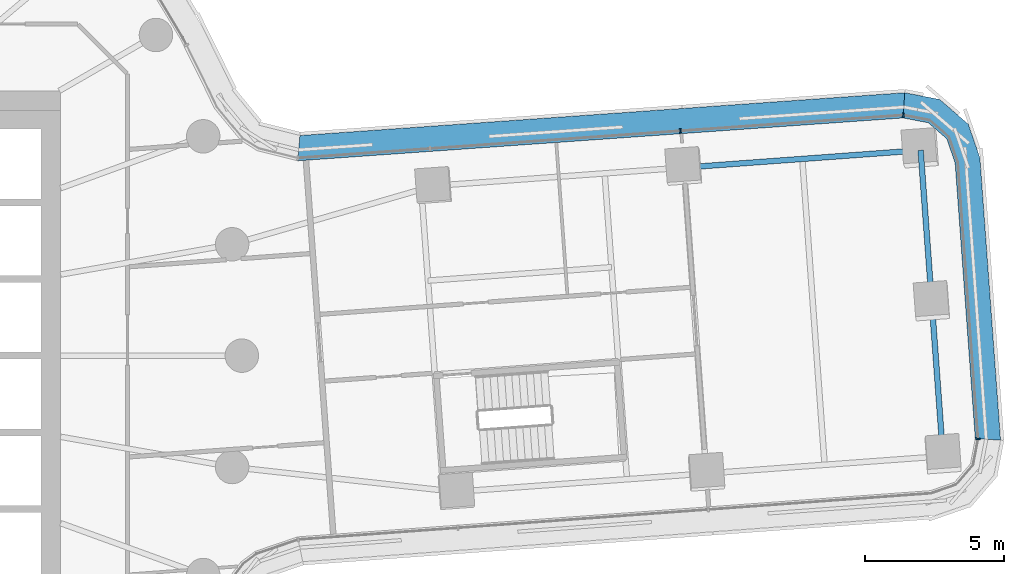
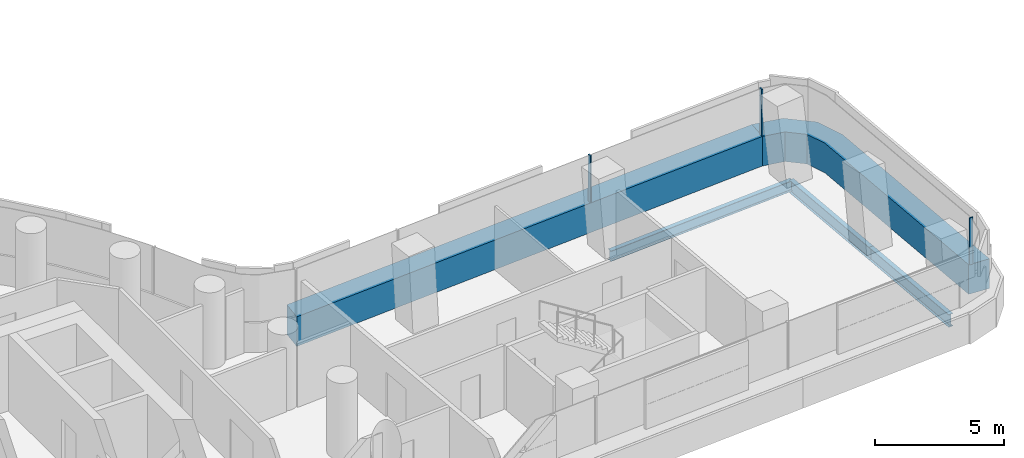
# One storey, part 12 of 31: 5 members, 3 beams, 2 elements without a shape of their own.
"""IFC4 building model written with IfcOpenShell, lengths in metres."""

from ifc_helpers import new_model, si_unit, direction, frame, origin, origin_2d, place, context, subcontext, project, spatial, polyline, rectangle, i_section, outline, extrude, material, layer, layer_set, material_profile, profile_set, type_object, element, aggregate, save


model = new_model("IFC4")

# Units and contexts
model_context = context("Model", 3, precision=1e-05, world=origin(), true_north=direction((0.0, 1.0)))
body_context = subcontext(model_context, "Body", "Model", "MODEL_VIEW")
ifc_project = project(units=[si_unit("LENGTHUNIT", "METRE"), si_unit("AREAUNIT", "SQUARE_METRE"), si_unit("VOLUMEUNIT", "CUBIC_METRE"), si_unit("PLANEANGLEUNIT", "RADIAN"), si_unit("MASSUNIT", "GRAM", prefix="KILO")], contexts=[model_context])

# Site, building, storey
site_placement = place(None, origin())
site = spatial("IfcSite", under=ifc_project, at=site_placement, CompositionType="ELEMENT")
building_placement = place(site_placement, origin())
building = spatial("IfcBuilding", under=site, at=building_placement, Name="Tamarind Cross Interchange Tower", CompositionType="ELEMENT")
storey_placement = place(building_placement, frame((0.0, 0.0, 49.0)))
storey = spatial("IfcBuildingStorey", under=building, at=storey_placement, Name="L10", CompositionType="ELEMENT", Elevation=49.0)

# Beams
ifc_material_1 = material(Name="Steel Q355B", Category="steel")
ifc_material_profile_1 = material_profile(ifc_material_1, i_section(OverallWidth=0.198974609375, OverallDepth=0.49609375, WebThickness=0.009033203125, FlangeThickness=0.013916015625, FilletRadius=0.012939453125, at=origin_2d()), Name="HN 496x199x9x14")
ifc_profile_set_1 = profile_set([ifc_material_profile_1], Name="Steel Q355B")
beam_type_1 = type_object("IfcBeamType", Name="Composite beam HN 496x199x9x14 Q355B", PredefinedType="BEAM", material=ifc_profile_set_1)
beam_placement = place(storey_placement, frame((47.34326171875, 7.366455078125, -0.387939453125), z_axis=(-0.997341049734, -0.072875445216, 0.0), x_axis=(0.072875445216, -0.997341049734, 0.0)))
element("IfcBeam", 1, at=beam_placement, inside=storey, type_object=beam_type_1, Name="Beam E-edgeep2", PredefinedType="BEAM", context=body_context, shape_type="SweptSolid", body=[
    extrude(i_section(OverallWidth=0.198974609375, OverallDepth=0.49609375, WebThickness=0.009033203125, FlangeThickness=0.013916015625, FilletRadius=0.012939453125, at=origin_2d()), origin(), (0.0, 0.0, 1.0), 8.5126953125),
])
ifc_material_profile_2 = material_profile(ifc_material_1, i_section(OverallWidth=0.199951171875, OverallDepth=0.60009765625, WebThickness=0.010986328125, FlangeThickness=0.01708984375, FilletRadius=0.012939453125, at=origin_2d()), Name="HN 600x200x11x17")
ifc_profile_set_2 = profile_set([ifc_material_profile_2], Name="Steel Q355B")
beam_type_2 = type_object("IfcBeamType", Name="Composite beam HN 600x200x11x17 Q355B", PredefinedType="BEAM", material=ifc_profile_set_2)
for number, where, z_axis, x_axis, name in (
    (2, (48.14501953125, -3.604248046875, -0.43994140625), (-0.072887332088, 0.997340181092, 0.0), (-0.997340181092, -0.072887332088, 0.0), "Beam E-tip0"),
    (3, (47.744140625, 1.881103515625, -0.43994140625), (-0.072887332088, 0.997340181092, 0.0), (-0.997340181092, -0.072887332088, 0.0), "Beam E-tip1"),
):
    element("IfcBeam", number, at=place(storey_placement, frame(where, z_axis=z_axis, x_axis=x_axis)), inside=storey, type_object=beam_type_2, Name=name, PredefinedType="BEAM", context=body_context, shape_type="SweptSolid", body=[
        extrude(i_section(OverallWidth=0.199951171875, OverallDepth=0.60009765625, WebThickness=0.010986328125, FlangeThickness=0.01708984375, FilletRadius=0.012939453125, at=origin_2d()), origin(), (0.0, 0.0, 1.0), 5.5),
    ])

# Curtain wall, member
ifc_material_2 = material(Name="Aluminium 6063-T6", Category="aluminium")
ifc_layer = layer(ifc_material_2, 0.159912109375)
ifc_layer_set = layer_set([ifc_layer], Name="Aluminium 6063-T6")
curtain_wall_type = type_object("IfcCurtainWallType", Name="Office curtain wall, 9.0 m bays", PredefinedType="NOTDEFINED", material=ifc_layer_set)
curtain_wall_1_placement = place(storey_placement, origin())
curtain_wall_1 = element("IfcCurtainWall", 4, at=curtain_wall_1_placement, inside=storey, type_object=curtain_wall_type, Name="CWS-L10-12", PredefinedType="NOTDEFINED")
ifc_material_3 = material(Name="Aluminium and insulated spandrel panel", Category="aluminium")
member_type_1 = type_object("IfcMemberType", Name="Floor-edge blade transom", PredefinedType="USERDEFINED", material=ifc_material_3)
member_1_placement = place(storey_placement, origin())
member_1 = element("IfcMember", 5, at=member_1_placement, type_object=member_type_1, Name="CWT-L10-12", ObjectType="TRANSOM", PredefinedType="USERDEFINED", context=body_context, shape_type="SweptSolid", body=[
    extrude(outline(polyline([(49.302490234375, -2.978759765625), (48.579345703125, 6.916015625), (48.27880859375, 7.780517578125), (47.616943359375, 8.35205078125), (46.717529296875, 8.524169921875), (46.77099609375, 9.43017578125), (48.022705078125, 9.19091796875), (49.049560546875, 8.303955078125), (49.468505859375, 7.099609375), (50.208740234375, -3.03125), (49.302490234375, -2.978759765625)])), origin(), (0.0, 0.0, 1.0), 1.39990234375),
])

curtain_wall_2_placement = place(storey_placement, origin())
curtain_wall_2 = element("IfcCurtainWall", 6, at=curtain_wall_2_placement, inside=storey, type_object=curtain_wall_type, Name="CWS-L10-13", PredefinedType="NOTDEFINED")
member_2_placement = place(storey_placement, origin())
member_2 = element("IfcMember", 7, at=member_2_placement, type_object=member_type_1, Name="CWT-L10-13", ObjectType="TRANSOM", PredefinedType="USERDEFINED", context=body_context, shape_type="SweptSolid", body=[
    extrude(outline(polyline([(46.717529296875, 8.524169921875), (25.00146484375, 6.9873046875), (25.080810546875, 7.89501953125), (46.77099609375, 9.43017578125), (46.717529296875, 8.524169921875)])), origin(), (0.0, 0.0, 1.0), 1.39990234375),
])

# Member
ifc_material_profile_3 = material_profile(ifc_material_2, rectangle(XDim=0.06005859375, YDim=0.159912109375, at=origin_2d()), Name="Mullion CW1")
ifc_profile_set_3 = profile_set([ifc_material_profile_3], Name="Aluminium 6063-T6")
member_type_2 = type_object("IfcMemberType", Name="Mullion CW1", PredefinedType="MULLION", material=ifc_profile_set_3)
member_3_placement = place(storey_placement, frame((49.403076171875, -2.984619140625, 1.39990234375), z_axis=(0.0, 0.0, 1.0), x_axis=(0.057926449675, 0.998320853447, 0.0)))
member_3 = element("IfcMember", 8, at=member_3_placement, type_object=member_type_2, Name="CWM-L10-12-00", PredefinedType="MULLION", context=body_context, shape_type="SweptSolid", body=[
    extrude(rectangle(XDim=0.06005859375, YDim=0.159912109375, at=origin_2d()), origin(), (0.0, 0.0, 1.0), 2.210205078125),
])

aggregate(curtain_wall_1, [member_3, member_1])

member_4_placement = place(storey_placement, frame((46.723388671875, 8.624755859375, 1.39990234375), z_axis=(0.0, 0.0, 1.0), x_axis=(-0.998253924821, 0.059068617559, 0.0)))
member_4 = element("IfcMember", 9, at=member_4_placement, type_object=member_type_2, Name="CWM-L10-13-00", PredefinedType="MULLION", context=body_context, shape_type="SweptSolid", body=[
    extrude(rectangle(XDim=0.06005859375, YDim=0.159912109375, at=origin_2d()), origin(), (0.0, 0.0, 1.0), 2.210205078125),
])

member_5_placement = place(storey_placement, frame((38.728515625, 8.058837890625, 1.39990234375), z_axis=(0.0, 0.0, 1.0), x_axis=(-0.997505146966, -0.070593780008, 0.0)))
member_5 = element("IfcMember", 10, at=member_5_placement, type_object=member_type_2, Name="CWM-L10-13-01", PredefinedType="MULLION", context=body_context, shape_type="SweptSolid", body=[
    extrude(rectangle(XDim=0.06005859375, YDim=0.159912109375, at=origin_2d()), origin(), (0.0, 0.0, 1.0), 2.210205078125),
])

aggregate(curtain_wall_2, [member_4, member_5, member_2])

save(model, "model.ifc")
